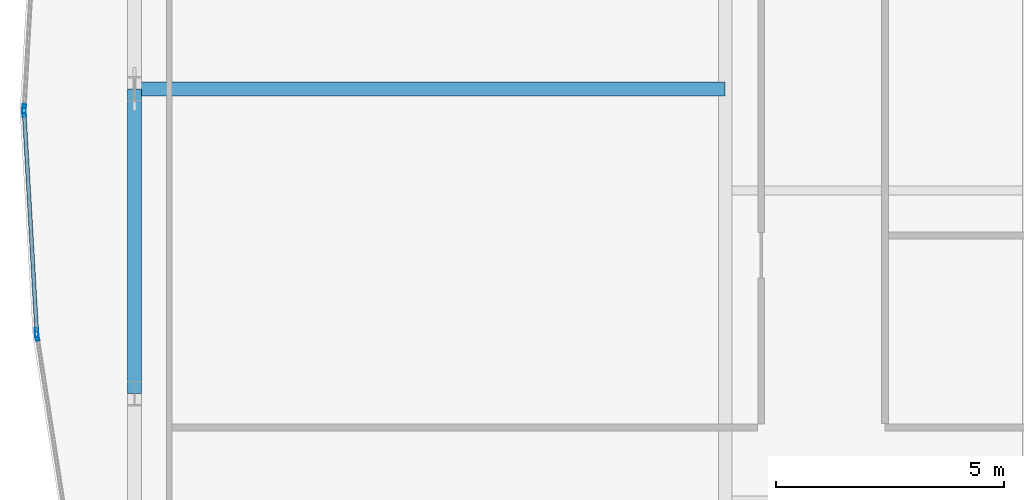
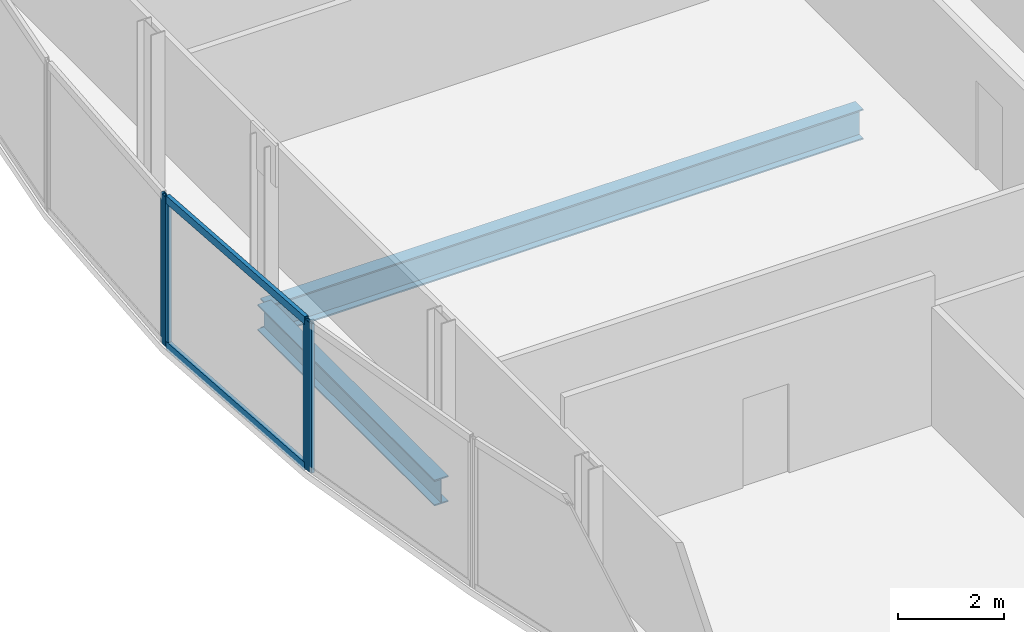
# One storey, part 10 of 29: 6 members, 2 beams, 3 elements without a shape of their own.
"""IFC4 building model written with IfcOpenShell, lengths in metres."""

from ifc_helpers import new_model, si_unit, direction, frame, origin, origin_2d, place, context, subcontext, project, spatial, hollow_rectangle, i_section, extrude, material, material_profile, profile_set, type_object, element, aggregate, save


model = new_model("IFC4")

# Units and contexts
model_context = context("Model", 3, precision=1e-05, world=origin(), true_north=direction((0.0, 1.0)))
body_context = subcontext(model_context, "Body", "Model", "MODEL_VIEW")
ifc_project = project(units=[si_unit("LENGTHUNIT", "METRE"), si_unit("AREAUNIT", "SQUARE_METRE"), si_unit("VOLUMEUNIT", "CUBIC_METRE"), si_unit("PLANEANGLEUNIT", "RADIAN"), si_unit("MASSUNIT", "GRAM", prefix="KILO")], contexts=[model_context])

# Site, building, storey
site_placement = place(None, origin())
site = spatial("IfcSite", under=ifc_project, at=site_placement, CompositionType="ELEMENT")
building_placement = place(site_placement, origin())
building = spatial("IfcBuilding", under=site, at=building_placement, Name="Khoronbel Lancet Exchange", CompositionType="ELEMENT")
storey_placement = place(building_placement, frame((0.0, 0.0, 165.0)))
storey = spatial("IfcBuildingStorey", under=building, at=storey_placement, Name="L41", CompositionType="ELEMENT", Elevation=165.0)

# Beams
ifc_material_1 = material(Name="Steel S355", Category="steel")
ifc_material_profile_1 = material_profile(ifc_material_1, i_section(OverallWidth=0.300048828125, OverallDepth=0.699951171875, WebThickness=0.01708984375, FlangeThickness=0.031982421875, at=origin_2d()), Name="HEB 700")
ifc_profile_set_1 = profile_set([ifc_material_profile_1], Name="Steel S355")
beam_type_1 = type_object("IfcBeamType", Name="BM-BG3", PredefinedType="BEAM", material=ifc_profile_set_1)
beam_1_placement = place(storey_placement, frame((5.27001953125, 31.425048828125, -0.510009765625), z_axis=(1.0, 0.0, 0.0), x_axis=(0.0, 1.0, 0.0)))
element("IfcBeam", 1, at=beam_1_placement, inside=storey, type_object=beam_type_1, Name="Level L41 west lens tie girder LG2W", PredefinedType="BEAM", context=body_context, shape_type="SweptSolid", body=[
    extrude(i_section(OverallWidth=0.300048828125, OverallDepth=0.699951171875, WebThickness=0.01708984375, FlangeThickness=0.031982421875, at=origin_2d()), origin(), (0.0, 0.0, 1.0), 12.955078125),
])
ifc_material_profile_2 = material_profile(ifc_material_1, i_section(OverallWidth=0.300048828125, OverallDepth=0.60009765625, WebThickness=0.015380859375, FlangeThickness=0.030029296875, at=origin_2d()), Name="HEB 600")
ifc_profile_set_2 = profile_set([ifc_material_profile_2], Name="Steel S355")
beam_type_2 = type_object("IfcBeamType", Name="BM-BSP2", PredefinedType="SPANDREL", material=ifc_profile_set_2)
beam_2_placement = place(storey_placement, frame((5.27001953125, 31.425048828125, -0.4599609375), z_axis=(0.0, -1.0, 0.0), x_axis=(1.0, 0.0, 0.0)))
element("IfcBeam", 2, at=beam_2_placement, inside=storey, type_object=beam_type_2, Name="Level L41 perimeter spandrel beam SP19", PredefinedType="SPANDREL", context=body_context, shape_type="SweptSolid", body=[
    extrude(i_section(OverallWidth=0.300048828125, OverallDepth=0.60009765625, WebThickness=0.015380859375, FlangeThickness=0.030029296875, at=origin_2d()), origin(), (0.0, 0.0, 1.0), 6.675048828125),
])

# Curtain wall, member
ifc_material_2 = material(Name="Low-E Solar Control Insulating Glass", Category="glass")
curtain_wall_type = type_object("IfcCurtainWallType", Name="CW-4", PredefinedType="NOTDEFINED", material=ifc_material_2)
curtain_wall_1_placement = place(storey_placement, origin())
curtain_wall_1 = element("IfcCurtainWall", 3, at=curtain_wall_1_placement, inside=storey, type_object=curtain_wall_type, Name="Unitised curtain wall CW-L41-E05", PredefinedType="NOTDEFINED")
ifc_material_3 = material(Name="Bronze-Anodised Aluminium 6063-T6", Category="aluminium")
ifc_material_profile_3 = material_profile(ifc_material_3, hollow_rectangle(XDim=0.074951171875, YDim=0.199951171875, WallThickness=0.0048828125, at=origin_2d()), Name="ALU MULLION 75x200")
ifc_profile_set_3 = profile_set([ifc_material_profile_3], Name="Bronze-Anodised Aluminium 6063-T6")
member_type_1 = type_object("IfcMemberType", Name="MEM-CWM2", PredefinedType="MULLION", material=ifc_profile_set_3)
member_1_placement = place(storey_placement, frame((3.132080078125, 26.005859375, 0.0), z_axis=(0.0, 0.0, 1.0), x_axis=(-0.988068944091, -0.154012212903, 0.0)))
member_1 = element("IfcMember", 4, at=member_1_placement, type_object=member_type_1, Name="CW4 mullion 2", PredefinedType="MULLION", context=body_context, shape_type="SweptSolid", body=[
    extrude(hollow_rectangle(XDim=0.074951171875, YDim=0.199951171875, WallThickness=0.0048828125, at=origin_2d()), origin(), (0.0, 0.0, 1.0), 3.43994140625),
])
aggregate(curtain_wall_1, [member_1])

# Curtain wall, members
curtain_wall_2_placement = place(storey_placement, origin())
curtain_wall_2 = element("IfcCurtainWall", 5, at=curtain_wall_2_placement, inside=storey, type_object=curtain_wall_type, Name="Unitised curtain wall CW-L41-E06", PredefinedType="NOTDEFINED")
member_2_placement = place(storey_placement, frame((3.124267578125, 26.080322265625, 0.0), z_axis=(0.0, 0.0, 1.0), x_axis=(-0.998376098551, -0.056966357111, 0.0)))
member_2 = element("IfcMember", 6, at=member_2_placement, type_object=member_type_1, Name="CW4 mullion 1", PredefinedType="MULLION", context=body_context, shape_type="SweptSolid", body=[
    extrude(hollow_rectangle(XDim=0.074951171875, YDim=0.199951171875, WallThickness=0.0048828125, at=origin_2d()), origin(), (0.0, 0.0, 1.0), 3.43994140625),
])
member_3_placement = place(storey_placement, frame((2.8486328125, 30.91259765625, 0.0), z_axis=(0.0, 0.0, 1.0), x_axis=(-0.998376098551, -0.056966357111, 0.0)))
member_3 = element("IfcMember", 7, at=member_3_placement, type_object=member_type_1, Name="CW4 mullion 2", PredefinedType="MULLION", context=body_context, shape_type="SweptSolid", body=[
    extrude(hollow_rectangle(XDim=0.074951171875, YDim=0.199951171875, WallThickness=0.0048828125, at=origin_2d()), origin(), (0.0, 0.0, 1.0), 3.43994140625),
])

# Curtain wall, member
curtain_wall_3_placement = place(storey_placement, origin())
curtain_wall_3 = element("IfcCurtainWall", 8, at=curtain_wall_3_placement, inside=storey, type_object=curtain_wall_type, Name="Unitised curtain wall CW-L41-E07", PredefinedType="NOTDEFINED")
member_4_placement = place(storey_placement, frame((2.8486328125, 30.987548828125, 0.0), z_axis=(0.0, 0.0, 1.0), x_axis=(-0.998376098551, 0.056966357111, 0.0)))
member_4 = element("IfcMember", 9, at=member_4_placement, type_object=member_type_1, Name="CW4 mullion 1", PredefinedType="MULLION", context=body_context, shape_type="SweptSolid", body=[
    extrude(hollow_rectangle(XDim=0.074951171875, YDim=0.199951171875, WallThickness=0.0048828125, at=origin_2d()), origin(), (0.0, 0.0, 1.0), 3.43994140625),
])
aggregate(curtain_wall_3, [member_4])

# Member
ifc_material_profile_4 = material_profile(ifc_material_3, hollow_rectangle(XDim=0.0849609375, YDim=0.179931640625, WallThickness=0.0048828125, at=origin_2d()), Name="ALU TRANSOM 85x180")
ifc_profile_set_4 = profile_set([ifc_material_profile_4], Name="Bronze-Anodised Aluminium 6063-T6")
member_type_2 = type_object("IfcMemberType", Name="MEM-CWT1", PredefinedType="USERDEFINED", material=ifc_profile_set_4)
member_5_placement = place(storey_placement, frame((3.1220703125, 26.11767578125, 0.04248046875), z_axis=(-0.056973916756, 0.998375667176, 0.0), x_axis=(-0.998375667176, -0.056973916756, 0.0)))
member_5 = element("IfcMember", 10, at=member_5_placement, type_object=member_type_2, Name="CW4 transom 1.1", ObjectType="TRANSOM", PredefinedType="USERDEFINED", context=body_context, shape_type="SweptSolid", body=[
    extrude(hollow_rectangle(XDim=0.0849609375, YDim=0.179931640625, WallThickness=0.0048828125, at=origin_2d()), origin(), (0.0, 0.0, 1.0), 4.76513671875),
])

member_6_placement = place(storey_placement, frame((3.1220703125, 26.11767578125, 3.3974609375), z_axis=(-0.056973916756, 0.998375667176, 0.0), x_axis=(-0.998375667176, -0.056973916756, 0.0)))
member_6 = element("IfcMember", 11, at=member_6_placement, type_object=member_type_2, Name="CW4 transom 1.2", ObjectType="TRANSOM", PredefinedType="USERDEFINED", context=body_context, shape_type="SweptSolid", body=[
    extrude(hollow_rectangle(XDim=0.0849609375, YDim=0.179931640625, WallThickness=0.0048828125, at=origin_2d()), origin(), (0.0, 0.0, 1.0), 4.76513671875),
])

aggregate(curtain_wall_2, [member_2, member_3, member_5, member_6])

save(model, "model.ifc")
